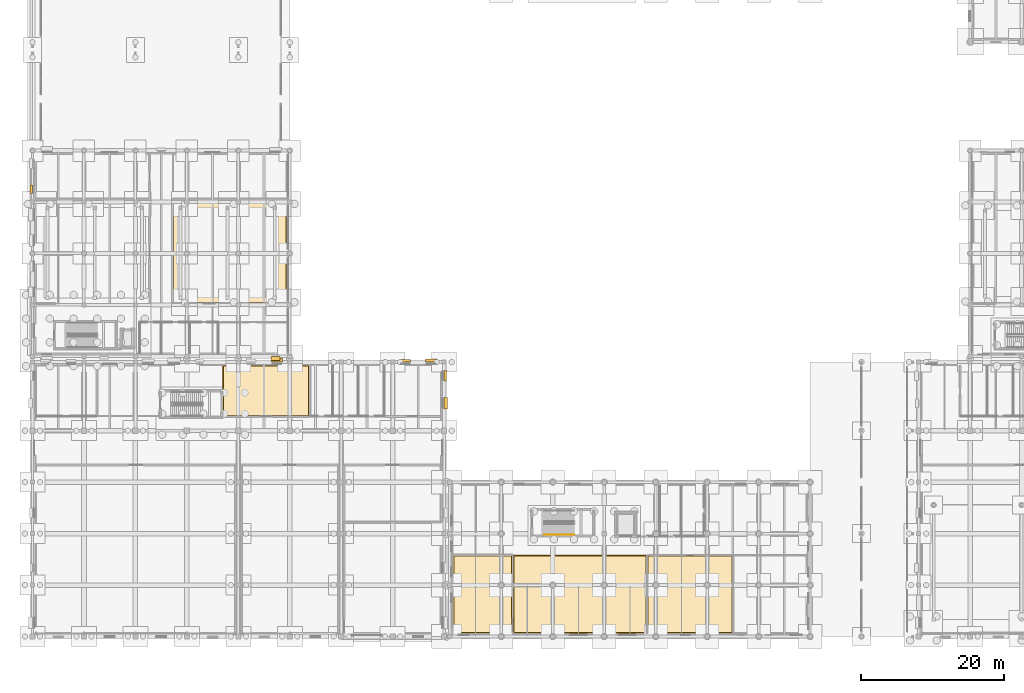
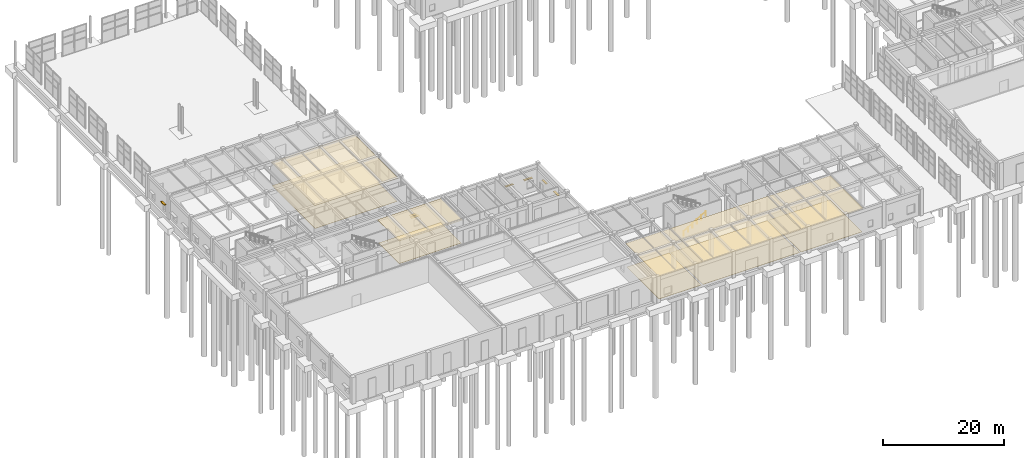
# One storey, part 82 of 91: 10 coverings, 7 shading devices, 1 railing.
"""IFC4 building model written with IfcOpenShell, lengths in metres."""

import ifcopenshell
import ifcopenshell.guid

model = None  # the IFC model being written
_history = None  # IfcOwnerHistory: only IFC2X3 demands one
_inside = {}  # id of a spatial element -> (the spatial element, [elements in it])
_under = {}  # id of a project, library or spatial element -> (it, [spatial elements below it])
_declared = {}  # id of a project -> (the project, [libraries it declares])
_typed = {}  # id of a type object -> (the type object, [elements of that type])
_made_of = {}  # id of a material, layer set ... -> (it, [elements and type objects made of it])


def new_model(schema):
    """Start an empty IFC model of exactly this schema.

    Asked for "IFC4X3", IfcOpenShell would pick the latest addendum, in which some entities
    have other attributes; the version numbers below select the first issue.
    IFC2X3 requires an IfcOwnerHistory on every rooted entity: one is made here for all.
    """
    global model, _history
    if schema == "IFC4X3":
        model = ifcopenshell.file(schema_version=(4, 3, 0, 0))
    else:
        model = ifcopenshell.file(schema=schema)
    _inside.clear()
    _under.clear()
    _declared.clear()
    _typed.clear()
    _made_of.clear()
    _history = None
    if model.schema == "IFC2X3":
        org = make("IfcOrganization", Name="unknown")
        user = make(
            "IfcPersonAndOrganization",
            ThePerson=make("IfcPerson", FamilyName="unknown"),
            TheOrganization=org,
        )
        app = make(
            "IfcApplication",
            ApplicationDeveloper=org,
            Version="unknown",
            ApplicationFullName="unknown",
            ApplicationIdentifier="unknown",
        )
        _history = make(
            "IfcOwnerHistory",
            OwningUser=user,
            OwningApplication=app,
            ChangeAction="ADDED",
            CreationDate=0,
        )
    return model


def make(cls, **values):
    """One entity of the class cls with the attributes given. An attribute that is None is left unset."""
    return model.create_entity(
        cls, **{name: value for name, value in values.items() if value is not None}
    )


def rooted(cls, **values):
    """An entity with a GlobalId (a new one), such as an element, a storey or a relation."""
    return make(cls, GlobalId=ifcopenshell.guid.new(), OwnerHistory=_history, **values)


def si_unit(unit_type, name, prefix=None):
    """IfcSIUnit, for example si_unit("LENGTHUNIT", "METRE", prefix="MILLI")."""
    return make("IfcSIUnit", UnitType=unit_type, Prefix=prefix, Name=name)


def assignment(units):
    """IfcUnitAssignment: the units of a project."""
    return None if units is None else make("IfcUnitAssignment", Units=units)


def point(xyz):
    """IfcCartesianPoint."""
    return None if xyz is None else make("IfcCartesianPoint", Coordinates=xyz)


def direction(xyz):
    """IfcDirection."""
    return None if xyz is None else make("IfcDirection", DirectionRatios=xyz)


def frame(location, z_axis=None, x_axis=None):
    """IfcAxis2Placement3D, a coordinate frame: its origin and axes. An axis left out is left unset."""
    return make(
        "IfcAxis2Placement3D",
        Location=point(location),
        Axis=direction(z_axis),
        RefDirection=direction(x_axis),
    )


def frame_2d(location, x_axis=None):
    """IfcAxis2Placement2D, a coordinate frame in the plane: its origin and x axis."""
    return make(
        "IfcAxis2Placement2D", Location=point(location), RefDirection=direction(x_axis)
    )


def origin():
    """The frame at (0, 0, 0) with its axes left unset."""
    return frame((0.0, 0.0, 0.0))


def origin_2d():
    """The frame at (0, 0) in the plane with its x axis left unset."""
    return frame_2d((0.0, 0.0))


def place(relative_to, where):
    """IfcLocalPlacement: puts the frame where relative to a parent placement (None: the world)."""
    return make(
        "IfcLocalPlacement", PlacementRelTo=relative_to, RelativePlacement=where
    )


def context(
    kind, dimensions, precision=None, world=None, true_north=None, identifier=None
):
    """IfcGeometricRepresentationContext, for example the 3D "Model" context."""
    return make(
        "IfcGeometricRepresentationContext",
        ContextIdentifier=identifier,
        ContextType=kind,
        CoordinateSpaceDimension=dimensions,
        Precision=precision,
        WorldCoordinateSystem=world,
        TrueNorth=true_north,
    )


def subcontext(parent, identifier, kind, view, scale=None):
    """IfcGeometricRepresentationSubContext, for example "Body" below "Model"."""
    return make(
        "IfcGeometricRepresentationSubContext",
        ContextIdentifier=identifier,
        ContextType=kind,
        ParentContext=parent,
        TargetScale=scale,
        TargetView=view,
    )


def project(units=None, contexts=None):
    """IfcProject with its units and contexts."""
    return rooted(
        "IfcProject",
        Name="project",
        RepresentationContexts=contexts,
        UnitsInContext=assignment(units),
    )


def spatial(cls, under=None, at=None, **own):
    """A site, building, storey or space (cls), placed at a placement, below another one or the project."""
    s = rooted(cls, ObjectPlacement=at, **own)
    if under is not None:
        _under.setdefault(under.id(), (under, []))[1].append(s)
    return s


def polyline(points):
    """IfcPolyline through the points."""
    return make("IfcPolyline", Points=[point(p) for p in points])


def profile(cls, at=None, kind="AREA", **sizes):
    """A parametric profile (cls). Its sizes go by their IFC names, for example OverallWidth=200.0."""
    return make(cls, ProfileType=kind, Position=at, **sizes)


def rectangle(**sizes):
    """IfcRectangleProfileDef."""
    return profile("IfcRectangleProfileDef", **sizes)


def circle(**sizes):
    """IfcCircleProfileDef."""
    return profile("IfcCircleProfileDef", **sizes)


def outline(outer, holes=None, kind="AREA"):
    """IfcArbitraryClosedProfileDef: a profile drawn as a closed curve; with holes, ...WithVoids."""
    if holes is None:
        return make("IfcArbitraryClosedProfileDef", ProfileType=kind, OuterCurve=outer)
    return make(
        "IfcArbitraryProfileDefWithVoids",
        ProfileType=kind,
        OuterCurve=outer,
        InnerCurves=holes,
    )


def extrude(swept, where, along, depth):
    """IfcExtrudedAreaSolid: the profile swept, set in the frame where, extruded along a direction by depth."""
    return make(
        "IfcExtrudedAreaSolid",
        SweptArea=swept,
        Position=where,
        ExtrudedDirection=direction(along),
        Depth=depth,
    )


def shape(context_of_items, identifier, shape_type, items):
    """IfcShapeRepresentation: the items that make up one representation, for example the "Body"."""
    return make(
        "IfcShapeRepresentation",
        ContextOfItems=context_of_items,
        RepresentationIdentifier=identifier,
        RepresentationType=shape_type,
        Items=items,
    )


def material(Name=None, Category=None):
    """IfcMaterial."""
    return make("IfcMaterial", Name=Name, Category=Category)


def layer(
    of_material, thickness, ventilated=None, Name=None, Category=None, Priority=None
):
    """IfcMaterialLayer: one layer of a wall or slab, of a material (None: an air gap)."""
    return make(
        "IfcMaterialLayer",
        Material=of_material,
        LayerThickness=thickness,
        IsVentilated=ventilated,
        Name=Name,
        Category=Category,
        Priority=Priority,
    )


def layer_set(layers, Name=None):
    """IfcMaterialLayerSet."""
    return make("IfcMaterialLayerSet", MaterialLayers=layers, LayerSetName=Name)


def made_of(thing, what):
    """Note that an element or type object is made of a material, layer set ...; save() writes the relation."""
    if what is not None:
        _made_of.setdefault(what.id(), (what, []))[1].append(thing)
    return thing


def type_object(cls, material=None, **own):
    """A type object (cls), such as IfcWallType, which elements share."""
    return made_of(rooted(cls, **own), material)


def element(
    cls,
    number,
    at=None,
    inside=None,
    cuts=None,
    type_object=None,
    material=None,
    context=None,
    identifier="Body",
    shape_type=None,
    held_by="IfcProductDefinitionShape",
    body=None,
    shapes=None,
    **own,
):
    """One element of the class cls, such as IfcWall. Its Tag is "e" and its number.

    at: its placement. inside: the storey or other place that contains it. cuts: it is an
    opening in that element (IfcRelVoidsElement). A single representation is given by context,
    identifier, shape_type and body (its items); several are given by shapes. held_by: the class
    of the entity that holds the representations. save() writes the other relations.
    """
    e = rooted(cls, Tag="e%d" % number, ObjectPlacement=at, **own)
    if body is not None:
        shapes = [shape(context, identifier, shape_type, body)]
    if shapes is not None:
        e.Representation = make(held_by, Representations=shapes)
    if inside is not None:
        _inside.setdefault(inside.id(), (inside, []))[1].append(e)
    if cuts is not None:
        rooted(
            "IfcRelVoidsElement", RelatingBuildingElement=cuts, RelatedOpeningElement=e
        )
    if type_object is not None:
        _typed.setdefault(type_object.id(), (type_object, []))[1].append(e)
    return made_of(e, material)


def aggregate(whole, parts):
    """IfcRelAggregates: a whole, such as a stair, and the parts it consists of."""
    return rooted("IfcRelAggregates", RelatingObject=whole, RelatedObjects=parts)


def save(model, path):
    """Write the relations noted so far, then the file.

    IfcRelAggregates (storeys below a building ...), IfcRelContainedInSpatialStructure (elements
    in a storey), IfcRelDefinesByType, IfcRelAssociatesMaterial and IfcRelDeclares: one each for
    every whole, place, type object, material and project.
    """
    for whole, parts in _under.values():
        aggregate(whole, parts)
    for where, things in _inside.values():
        rooted(
            "IfcRelContainedInSpatialStructure",
            RelatedElements=things,
            RelatingStructure=where,
        )
    for kind, things in _typed.values():
        rooted("IfcRelDefinesByType", RelatedObjects=things, RelatingType=kind)
    for what, things in _made_of.values():
        rooted("IfcRelAssociatesMaterial", RelatedObjects=things, RelatingMaterial=what)
    for by, libraries in _declared.values():
        rooted("IfcRelDeclares", RelatingContext=by, RelatedDefinitions=libraries)
    model.write(path)


model = new_model("IFC4")

# Units and contexts
model_context = context("Model", 3, precision=1e-05, world=origin(), true_north=direction((0.0, 1.0)))
body_context = subcontext(model_context, "Body", "Model", "MODEL_VIEW")
ifc_project = project(units=[si_unit("LENGTHUNIT", "METRE"), si_unit("AREAUNIT", "SQUARE_METRE"), si_unit("VOLUMEUNIT", "CUBIC_METRE"), si_unit("PLANEANGLEUNIT", "RADIAN"), si_unit("MASSUNIT", "GRAM", prefix="KILO")], contexts=[model_context])

# Site, building, storey
site_placement = place(None, origin())
site = spatial("IfcSite", under=ifc_project, at=site_placement, CompositionType="ELEMENT")
building_placement = place(site_placement, origin())
building = spatial("IfcBuilding", under=site, at=building_placement, Name="Bramveld Media Centre", CompositionType="ELEMENT")
storey_placement = place(building_placement, origin())
storey = spatial("IfcBuildingStorey", under=building, at=storey_placement, Name="L00", CompositionType="ELEMENT", Elevation=0.0)

# Coverings
ifc_material_1 = material(Name="Perforated acoustic mineral-fibre & oak-slat suspended ceiling")
ifc_layer_1 = layer(ifc_material_1, 0.044921875)
ifc_layer_set_1 = layer_set([ifc_layer_1], Name="Perforated acoustic mineral-fibre & oak-slat suspended ceiling")
covering_type_1 = type_object("IfcCoveringType", Name="COV-CEIL-01", PredefinedType="CEILING", material=ifc_layer_set_1)
covering_1_placement = place(storey_placement, frame((0.0, 0.0, 4.705078125)))
element("IfcCovering", 1, at=covering_1_placement, inside=storey, type_object=covering_type_1, Name="Wardrobe & Make-Up Suite acoustic suspended ceiling", PredefinedType="CEILING", context=body_context, shape_type="SweptSolid", body=[
    extrude(outline(polyline([(26.60009765625, 30.800048828125), (38.800048828125, 30.800048828125), (38.800048828125, 38.0), (26.60009765625, 38.0), (26.60009765625, 30.800048828125)])), origin(), (0.0, 0.0, 1.0), 0.044921875),
])
covering_2_placement = place(storey_placement, frame((0.0, 0.0, 4.7451171875)))
element("IfcCovering", 2, at=covering_2_placement, inside=storey, type_object=covering_type_1, Name="Cinema 4 Documentary Auditorium acoustic suspended ceiling", PredefinedType="CEILING", context=body_context, shape_type="SweptSolid", body=[
    extrude(outline(polyline([(19.60009765625, 46.60009765625), (35.60009765625, 46.60009765625), (35.60009765625, 61.199951171875), (19.60009765625, 61.199951171875), (19.60009765625, 46.60009765625)])), origin(), (0.0, 0.0, 1.0), 0.044921875),
])
covering_3_placement = place(storey_placement, frame((0.0, 0.0, 4.7548828125)))
element("IfcCovering", 3, at=covering_3_placement, inside=storey, type_object=covering_type_1, Name="Main Public Entrance Circulation Lobby acoustic suspended ceiling", PredefinedType="CEILING", context=body_context, shape_type="SweptSolid", body=[
    extrude(outline(polyline([(67.199951171875, 0.39990234375), (86.0, 0.39990234375), (86.0, 11.39990234375), (67.199951171875, 11.39990234375), (67.199951171875, 0.39990234375)])), origin(), (0.0, 0.0, 1.0), 0.045166015625),
])
ifc_material_2 = material(Name="Spring-isolated studio acoustic gypsum & mineral-wool ceiling")
ifc_layer_2 = layer(ifc_material_2, 0.06005859375)
ifc_layer_set_2 = layer_set([ifc_layer_2], Name="Spring-isolated studio acoustic gypsum & mineral-wool ceiling")
covering_type_2 = type_object("IfcCoveringType", Name="COV-CEIL-02", PredefinedType="CEILING", material=ifc_layer_set_2)
covering_4_placement = place(storey_placement, frame((0.0, 0.0, 4.739990234375)))
element("IfcCovering", 4, at=covering_4_placement, inside=storey, type_object=covering_type_2, Name="Fire Command Centre & Security Desk acoustic suspended ceiling", PredefinedType="CEILING", context=body_context, shape_type="SweptSolid", body=[
    extrude(outline(polyline([(58.800048828125, 0.39990234375), (67.199951171875, 0.39990234375), (67.199951171875, 11.39990234375), (58.800048828125, 11.39990234375), (58.800048828125, 0.39990234375)])), origin(), (0.0, 0.0, 1.0), 0.06005859375),
])
covering_5_placement = place(storey_placement, frame((0.0, 0.0, 4.739990234375)))
element("IfcCovering", 5, at=covering_5_placement, inside=storey, type_object=covering_type_2, Name="Cinema Bookshop & Media Store acoustic suspended ceiling", PredefinedType="CEILING", context=body_context, shape_type="SweptSolid", body=[
    extrude(outline(polyline([(86.0, 0.39990234375), (98.0, 0.39990234375), (98.0, 11.39990234375), (86.0, 11.39990234375), (86.0, 0.39990234375)])), origin(), (0.0, 0.0, 1.0), 0.06005859375),
])
ifc_material_3 = material(Name="Floating acoustic screed with smoked European oak studio flooring")
ifc_layer_3 = layer(ifc_material_3, 0.06494140625)
ifc_layer_set_3 = layer_set([ifc_layer_3], Name="Floating acoustic screed with smoked European oak studio flooring")
covering_type_3 = type_object("IfcCoveringType", Name="COV-FLOOR-01", PredefinedType="FLOORING", material=ifc_layer_set_3)
covering_6_placement = place(storey_placement, origin())
element("IfcCovering", 6, at=covering_6_placement, inside=storey, type_object=covering_type_3, Name="Wardrobe & Make-Up Suite finish flooring", PredefinedType="FLOORING", context=body_context, shape_type="SweptSolid", body=[
    extrude(outline(polyline([(26.75, 30.949951171875), (38.64990234375, 30.949951171875), (38.64990234375, 37.85009765625), (26.75, 37.85009765625), (26.75, 30.949951171875)])), origin(), (0.0, 0.0, 1.0), 0.06494140625),
])
covering_7_placement = place(storey_placement, origin())
element("IfcCovering", 7, at=covering_7_placement, inside=storey, type_object=covering_type_3, Name="Fire Command Centre & Security Desk finish flooring", PredefinedType="FLOORING", context=body_context, shape_type="SweptSolid", body=[
    extrude(outline(polyline([(58.949951171875, 0.550048828125), (67.050048828125, 0.550048828125), (67.050048828125, 11.25), (58.949951171875, 11.25), (58.949951171875, 0.550048828125)])), origin(), (0.0, 0.0, 1.0), 0.06494140625),
])
ifc_material_4 = material(Name="Honed Belgian bluestone (petit granit) public concourse flooring", Category="masonry")
ifc_layer_4 = layer(ifc_material_4, 0.050048828125)
ifc_layer_set_4 = layer_set([ifc_layer_4], Name="Honed Belgian bluestone (petit granit) public concourse flooring")
covering_type_4 = type_object("IfcCoveringType", Name="COV-FLOOR-02", PredefinedType="FLOORING", material=ifc_layer_set_4)
covering_8_placement = place(storey_placement, origin())
element("IfcCovering", 8, at=covering_8_placement, inside=storey, type_object=covering_type_4, Name="Main Public Entrance Circulation Lobby finish flooring", PredefinedType="FLOORING", context=body_context, shape_type="SweptSolid", body=[
    extrude(outline(polyline([(67.35009765625, 0.550048828125), (85.85009765625, 0.550048828125), (85.85009765625, 11.25), (67.35009765625, 11.25), (67.35009765625, 0.550048828125)])), origin(), (0.0, 0.0, 1.0), 0.050048828125),
])
ifc_material_5 = material(Name="Anti-static acoustic linoleum editing & vault flooring")
ifc_layer_5 = layer(ifc_material_5, 0.0400390625)
ifc_layer_set_5 = layer_set([ifc_layer_5], Name="Anti-static acoustic linoleum editing & vault flooring")
covering_type_5 = type_object("IfcCoveringType", Name="COV-FLOOR-03", PredefinedType="FLOORING", material=ifc_layer_set_5)
covering_9_placement = place(storey_placement, origin())
element("IfcCovering", 9, at=covering_9_placement, inside=storey, type_object=covering_type_5, Name="Cinema 4 Documentary Auditorium finish flooring", PredefinedType="FLOORING", context=body_context, shape_type="SweptSolid", body=[
    extrude(outline(polyline([(19.75, 46.75), (35.449951171875, 46.75), (35.449951171875, 61.050048828125), (19.75, 61.050048828125), (19.75, 46.75)])), origin(), (0.0, 0.0, 1.0), 0.0400390625),
])
covering_10_placement = place(storey_placement, origin())
element("IfcCovering", 10, at=covering_10_placement, inside=storey, type_object=covering_type_5, Name="Cinema Bookshop & Media Store finish flooring", PredefinedType="FLOORING", context=body_context, shape_type="SweptSolid", body=[
    extrude(outline(polyline([(86.14990234375, 0.550048828125), (97.85009765625, 0.550048828125), (97.85009765625, 11.25), (86.14990234375, 11.25), (86.14990234375, 0.550048828125)])), origin(), (0.0, 0.0, 1.0), 0.0400390625),
])

# Railing
ifc_material_6 = material(Name="Brushed stainless steel tubular stair handrail", Category="steel")
railing_type = type_object("IfcRailingType", Name="RAIL-STAIR-HAND-0920", PredefinedType="HANDRAIL", material=ifc_material_6)
railing_placement = place(storey_placement, frame((71.60009765625, 14.25, 0.168701171875)))
element("IfcRailing", 11, at=railing_placement, inside=storey, type_object=railing_type, Name="L00 ST-06 stair handrail 1", PredefinedType="HANDRAIL", context=body_context, shape_type="SweptSolid", body=[
    extrude(circle(Radius=0.02392578125, at=origin_2d()), frame((0.0, 0.0, 0.8759765625), z_axis=(0.856476492594, 0.0, 0.516186030065), x_axis=(0.0, 1.0, 0.0)), (0.0, 0.0, 1.0), 4.90380859375),
    extrude(circle(Radius=0.02099609375, at=origin_2d()), origin(), (0.0, 0.0, 1.0), 0.851806640625),
    extrude(circle(Radius=0.02099609375, at=origin_2d()), frame((0.840087890625, 0.0, 0.50634765625)), (0.0, 0.0, 1.0), 0.851806640625),
    extrude(circle(Radius=0.02099609375, at=origin_2d()), frame((1.679931640625, 0.0, 1.012451171875)), (0.0, 0.0, 1.0), 0.851806640625),
    extrude(circle(Radius=0.02099609375, at=origin_2d()), frame((2.52001953125, 0.0, 1.518798828125)), (0.0, 0.0, 1.0), 0.851806640625),
    extrude(circle(Radius=0.02099609375, at=origin_2d()), frame((3.35986328125, 0.0, 2.02490234375)), (0.0, 0.0, 1.0), 0.851806640625),
    extrude(circle(Radius=0.02099609375, at=origin_2d()), frame((4.199951171875, 0.0, 2.53125)), (0.0, 0.0, 1.0), 0.851806640625),
])

# Shading devices
ifc_material_7 = material(Name="Anodized bronze extruded aluminium solar shading fin", Category="aluminium")
shading_device_type_1 = type_object("IfcShadingDeviceType", Name="SHD-BRISE-350", PredefinedType="JALOUSIE", material=ifc_material_7)
shading_device_1_placement = place(storey_placement, frame((57.77490234375, 36.47998046875, 2.35986328125), z_axis=(0.0, 0.0, 1.0), x_axis=(1.0, 0.0, 0.0)))
element("IfcShadingDevice", 12, at=shading_device_1_placement, inside=storey, type_object=shading_device_type_1, Name="Bronze solar shading fin 45", PredefinedType="JALOUSIE", context=body_context, shape_type="SweptSolid", body=[
    extrude(rectangle(XDim=0.35009765625, YDim=1.449951171875, at=origin_2d()), origin(), (0.0, 0.0, 1.0), 0.06005859375),
])
shading_device_2_placement = place(storey_placement, frame((52.199951171875, 38.574951171875, 2.35986328125), z_axis=(0.0, 0.0, 1.0), x_axis=(1.0, 0.0, 0.0)))
element("IfcShadingDevice", 13, at=shading_device_2_placement, inside=storey, type_object=shading_device_type_1, Name="Bronze solar shading fin 57", PredefinedType="JALOUSIE", context=body_context, shape_type="SweptSolid", body=[
    extrude(rectangle(XDim=1.449951171875, YDim=0.35009765625, at=origin_2d()), origin(), (0.0, 0.0, 1.0), 0.06005859375),
])
shading_device_3_placement = place(storey_placement, frame((-0.175048828125, 62.60009765625, 2.510009765625), z_axis=(0.0, 0.0, 1.0), x_axis=(1.0, 0.0, 0.0)))
element("IfcShadingDevice", 14, at=shading_device_3_placement, inside=storey, type_object=shading_device_type_1, Name="Bronze solar shading fin 108", PredefinedType="JALOUSIE", context=body_context, shape_type="SweptSolid", body=[
    extrude(rectangle(XDim=0.35009765625, YDim=1.199951171875, at=origin_2d()), origin(), (0.0, 0.0, 1.0), 0.06005859375),
])
ifc_material_8 = material(Name="Anodized bronze extruded aluminium solar shading fin", Category="aluminium")
shading_device_type_2 = type_object("IfcShadingDeviceType", Name="SHD-BRISE-450", PredefinedType="JALOUSIE", material=ifc_material_8)
shading_device_4_placement = place(storey_placement, frame((57.824951171875, 32.639892578125, 2.35986328125), z_axis=(0.0, 0.0, 1.0), x_axis=(1.0, 0.0, 0.0)))
element("IfcShadingDevice", 15, at=shading_device_4_placement, inside=storey, type_object=shading_device_type_2, Name="Bronze solar shading fin 46", PredefinedType="JALOUSIE", context=body_context, shape_type="SweptSolid", body=[
    extrude(rectangle(XDim=0.449951171875, YDim=1.550048828125, at=origin_2d()), origin(), (0.0, 0.0, 1.0), 0.06005859375),
])
shading_device_5_placement = place(storey_placement, frame((55.800048828125, 38.625, 2.35986328125), z_axis=(0.0, 0.0, 1.0), x_axis=(1.0, 0.0, 0.0)))
element("IfcShadingDevice", 16, at=shading_device_5_placement, inside=storey, type_object=shading_device_type_2, Name="Bronze solar shading fin 58", PredefinedType="JALOUSIE", context=body_context, shape_type="SweptSolid", body=[
    extrude(rectangle(XDim=1.550048828125, YDim=0.449951171875, at=origin_2d()), origin(), (0.0, 0.0, 1.0), 0.06005859375),
])
ifc_material_9 = material(Name="Anodized bronze extruded aluminium solar shading fin", Category="aluminium")
shading_device_type_3 = type_object("IfcShadingDeviceType", Name="SHD-BRISE-550", PredefinedType="JALOUSIE", material=ifc_material_9)
shading_device_6_placement = place(storey_placement, frame((34.199951171875, 38.675048828125, 2.260009765625), z_axis=(0.0, 0.0, 1.0), x_axis=(1.0, 0.0, 0.0)))
element("IfcShadingDevice", 17, at=shading_device_6_placement, inside=storey, type_object=shading_device_type_3, Name="Bronze solar shading fin 56", PredefinedType="JALOUSIE", context=body_context, shape_type="SweptSolid", body=[
    extrude(rectangle(XDim=1.5, YDim=0.550048828125, at=origin_2d()), origin(), (0.0, 0.0, 1.0), 0.06005859375),
])
shading_device_7_placement = place(storey_placement, frame((34.0, 38.925048828125, 2.510009765625), z_axis=(0.0, 0.0, 1.0), x_axis=(1.0, 0.0, 0.0)))
element("IfcShadingDevice", 18, at=shading_device_7_placement, inside=storey, type_object=shading_device_type_3, Name="Bronze solar shading fin 98", PredefinedType="JALOUSIE", context=body_context, shape_type="SweptSolid", body=[
    extrude(rectangle(XDim=1.199951171875, YDim=0.550048828125, at=origin_2d()), origin(), (0.0, 0.0, 1.0), 0.06005859375),
])

save(model, "model.ifc")
